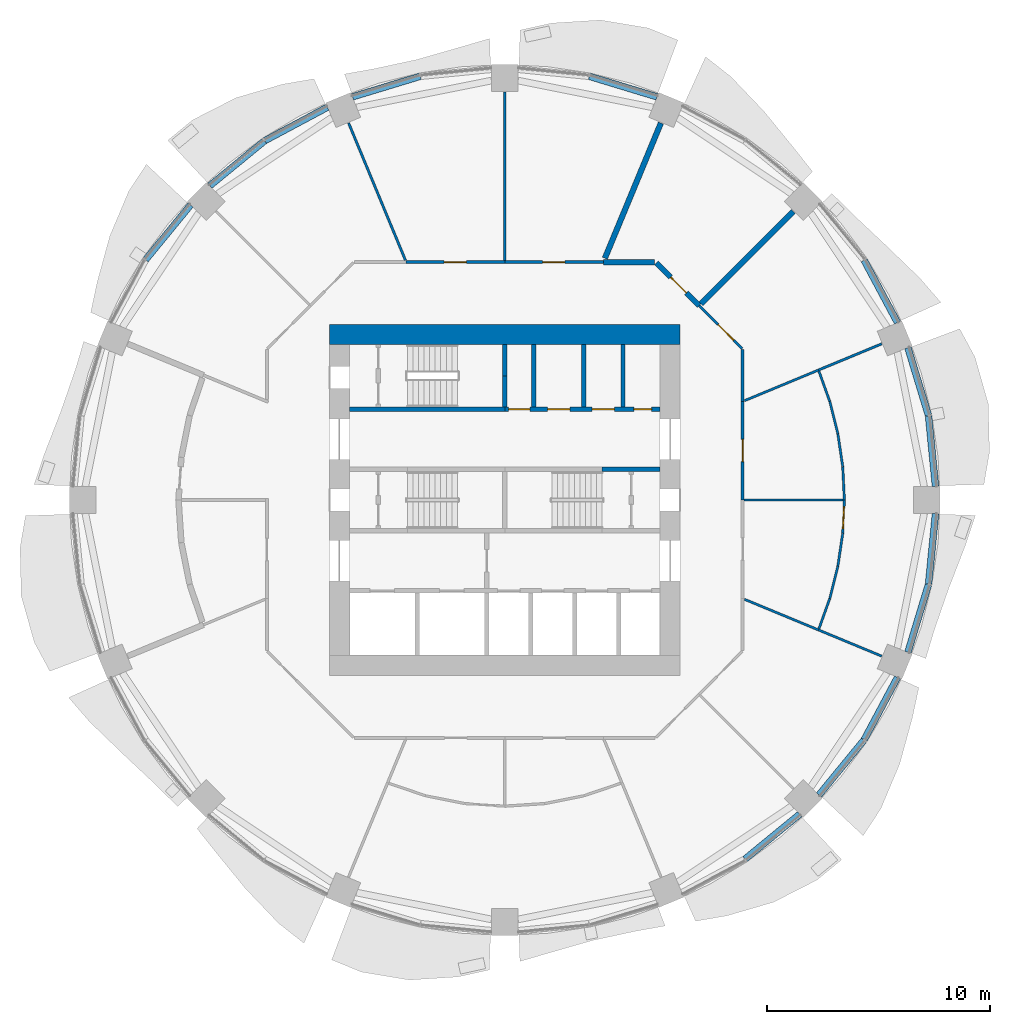
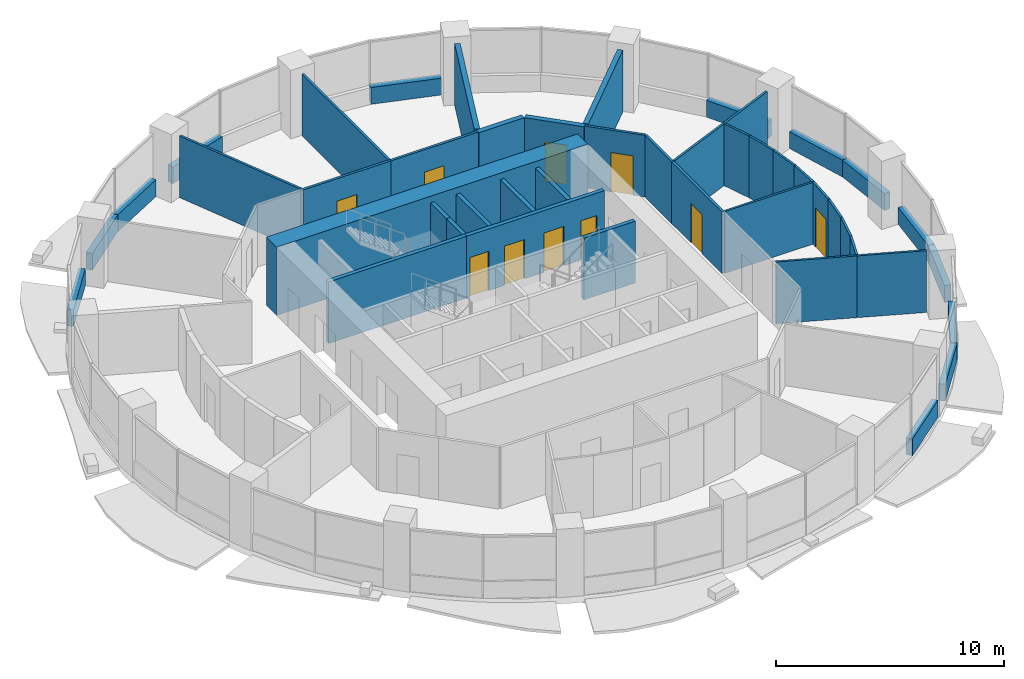
# One storey, part 10 of 15: 46 walls, 10 doors, 10 openings.
"""IFC4 building model written with IfcOpenShell, lengths in metres."""

from ifc_helpers import new_model, si_unit, direction, frame, frame_2d, origin, place, context, subcontext, project, spatial, rectangle, extrude, material, layer, layer_set, type_object, element, fill, save


model = new_model("IFC4")

# Units and contexts
model_context = context("Model", 3, precision=1e-05, world=origin(), true_north=direction((0.0, 1.0)))
body_context = subcontext(model_context, "Body", "Model", "MODEL_VIEW")
ifc_project = project(units=[si_unit("LENGTHUNIT", "METRE"), si_unit("AREAUNIT", "SQUARE_METRE"), si_unit("VOLUMEUNIT", "CUBIC_METRE"), si_unit("PLANEANGLEUNIT", "RADIAN"), si_unit("MASSUNIT", "GRAM", prefix="KILO")], contexts=[model_context])

# Site, building, storey
site_placement = place(None, origin())
site = spatial("IfcSite", under=ifc_project, at=site_placement, CompositionType="ELEMENT")
building_placement = place(site_placement, origin())
building = spatial("IfcBuilding", under=site, at=building_placement, Name="Polderwave Tower", CompositionType="ELEMENT")
storey_placement = place(building_placement, frame((0.0, 0.0, 59.050048828125)))
storey = spatial("IfcBuildingStorey", under=building, at=storey_placement, Name="L15", CompositionType="ELEMENT", Elevation=59.050048828125)

# Walls
ifc_material_1 = material(Name="Concrete C80/95", Category="concrete")
ifc_layer_1 = layer(ifc_material_1, 0.89990234375)
ifc_layer_set_1 = layer_set([ifc_layer_1], Name="CORE WALL 900 C80/95")
wall_type_1 = type_object("IfcWallType", Name="CORE WALL 900 C80/95", PredefinedType="SHEAR", material=ifc_layer_set_1)
wall_1_placement = place(storey_placement, frame((-7.8740234375, 7.424072265625, 0.0), z_axis=(0.0, 0.0, 1.0), x_axis=(1.0, 0.0, 0.0)))
element("IfcWall", 1, at=wall_1_placement, inside=storey, type_object=wall_type_1, Name="ST-CORE-L15-N", PredefinedType="SHEAR", context=body_context, shape_type="SweptSolid", body=[
    extrude(rectangle(XDim=15.748046875, YDim=0.89990234375, at=frame_2d((7.8740234375, 0.0))), origin(), (0.0, 0.0, 1.0), 3.64990234375),
])
ifc_material_2 = material(Name="Concrete C50/60 (board-marked)", Category="concrete")
ifc_layer_2 = layer(ifc_material_2, 0.300048828125)
ifc_layer_set_2 = layer_set([ifc_layer_2], Name="Concrete spandrel upstand C50/60")
wall_type_2 = type_object("IfcWallType", Name="Concrete spandrel upstand C50/60", PredefinedType="SOLIDWALL", material=ifc_layer_set_2)
wall_2_placement = place(storey_placement, frame((19.32958984375, 0.61279296875, 0.0), z_axis=(0.0, 0.0, 1.0), x_axis=(-0.098100807709, 0.995176482603, 0.0)))
element("IfcWall", 2, at=wall_2_placement, inside=storey, type_object=wall_type_2, Name="Spandrel L15 1a", PredefinedType="SOLIDWALL", context=body_context, shape_type="SweptSolid", body=[
    extrude(rectangle(XDim=3.170654296875, YDim=0.300048828125, at=frame_2d((1.58544921875, 0.0))), origin(), (0.0, 0.0, 1.0), 0.89990234375),
])
wall_3_placement = place(storey_placement, frame((19.0126953125, 3.79736328125, 0.0), z_axis=(0.0, 0.0, 1.0), x_axis=(-0.290456409527, 0.956888224489, 0.0)))
element("IfcWall", 3, at=wall_3_placement, inside=storey, type_object=wall_type_2, Name="Spandrel L15 1b", PredefinedType="SOLIDWALL", context=body_context, shape_type="SweptSolid", body=[
    extrude(rectangle(XDim=3.1689453125, YDim=0.300048828125, at=frame_2d((1.58447265625, 0.0))), origin(), (0.0, 0.0, 1.0), 0.89990234375),
])
wall_4_placement = place(storey_placement, frame((17.622802734375, 7.963134765625, 0.0), z_axis=(0.0, 0.0, 1.0), x_axis=(-0.47123575379, 0.882007292685, 0.0)))
element("IfcWall", 4, at=wall_4_placement, inside=storey, type_object=wall_type_2, Name="Spandrel L15 2a", PredefinedType="SOLIDWALL", context=body_context, shape_type="SweptSolid", body=[
    extrude(rectangle(XDim=3.169677734375, YDim=0.300048828125, at=frame_2d((1.5849609375, 0.0))), origin(), (0.0, 0.0, 1.0), 0.89990234375),
])
for number, where, z_axis, x_axis, name in (
    (5, (6.82958984375, 18.09228515625, 0.0), (0.0, 0.0, 1.0), (-0.956888224489, 0.290456409527, 0.0), "Spandrel L15 4a"),
    (6, (-3.79736328125, 19.0126953125, 0.0), (0.0, 0.0, 1.0), (-0.956888224489, -0.290456409527, 0.0), "Spandrel L15 5b"),
):
    element("IfcWall", number, at=place(storey_placement, frame(where, z_axis=z_axis, x_axis=x_axis)), inside=storey, type_object=wall_type_2, Name=name, PredefinedType="SOLIDWALL", context=body_context, shape_type="SweptSolid", body=[
        extrude(rectangle(XDim=3.1689453125, YDim=0.300048828125, at=frame_2d((1.58447265625, 0.0))), origin(), (0.0, 0.0, 1.0), 0.89990234375),
    ])
wall_5_placement = place(storey_placement, frame((-7.963134765625, 17.622802734375, 0.0), z_axis=(0.0, 0.0, 1.0), x_axis=(-0.882007292685, -0.47123575379, 0.0)))
element("IfcWall", 7, at=wall_5_placement, inside=storey, type_object=wall_type_2, Name="Spandrel L15 6a", PredefinedType="SOLIDWALL", context=body_context, shape_type="SweptSolid", body=[
    extrude(rectangle(XDim=3.169677734375, YDim=0.300048828125, at=frame_2d((1.5849609375, 0.0))), origin(), (0.0, 0.0, 1.0), 0.89990234375),
])
for number, where, z_axis, x_axis, name in (
    (8, (-10.78369140625, 16.112548828125, 0.0), (0.0, 0.0, 1.0), (-0.773198293788, -0.634164330819, 0.0), "Spandrel L15 6b"),
    (9, (-14.1025390625, 13.234375, 0.0), (0.0, 0.0, 1.0), (-0.634164330819, -0.773198293788, 0.0), "Spandrel L15 7a"),
    (10, (10.78369140625, -16.112548828125, 0.0), (0.0, 0.0, 1.0), (0.773198293788, 0.634164330819, 0.0), "Spandrel L15 14b"),
    (11, (14.1025390625, -13.234375, 0.0), (0.0, 0.0, 1.0), (0.634164330819, 0.773198293788, 0.0), "Spandrel L15 15a"),
):
    element("IfcWall", number, at=place(storey_placement, frame(where, z_axis=z_axis, x_axis=x_axis)), inside=storey, type_object=wall_type_2, Name=name, PredefinedType="SOLIDWALL", context=body_context, shape_type="SweptSolid", body=[
        extrude(rectangle(XDim=3.16943359375, YDim=0.300048828125, at=frame_2d((1.584716796875, 0.0))), origin(), (0.0, 0.0, 1.0), 0.89990234375),
    ])
wall_6_placement = place(storey_placement, frame((16.129150390625, -10.7587890625, 0.0), z_axis=(0.0, 0.0, 1.0), x_axis=(0.47123575379, 0.882007292685, 0.0)))
element("IfcWall", 12, at=wall_6_placement, inside=storey, type_object=wall_type_2, Name="Spandrel L15 15b", PredefinedType="SOLIDWALL", context=body_context, shape_type="SweptSolid", body=[
    extrude(rectangle(XDim=3.169677734375, YDim=0.300048828125, at=frame_2d((1.5849609375, 0.0))), origin(), (0.0, 0.0, 1.0), 0.89990234375),
])
wall_7_placement = place(storey_placement, frame((18.09228515625, -6.82958984375, 0.0), z_axis=(0.0, 0.0, 1.0), x_axis=(0.290456409527, 0.956888224489, 0.0)))
element("IfcWall", 13, at=wall_7_placement, inside=storey, type_object=wall_type_2, Name="Spandrel L15 16a", PredefinedType="SOLIDWALL", context=body_context, shape_type="SweptSolid", body=[
    extrude(rectangle(XDim=3.1689453125, YDim=0.300048828125, at=frame_2d((1.58447265625, 0.0))), origin(), (0.0, 0.0, 1.0), 0.89990234375),
])
wall_8_placement = place(storey_placement, frame((19.0185546875, -3.76806640625, 0.0), z_axis=(0.0, 0.0, 1.0), x_axis=(0.098100807709, 0.995176482603, 0.0)))
element("IfcWall", 14, at=wall_8_placement, inside=storey, type_object=wall_type_2, Name="Spandrel L15 16b", PredefinedType="SOLIDWALL", context=body_context, shape_type="SweptSolid", body=[
    extrude(rectangle(XDim=3.170654296875, YDim=0.300048828125, at=frame_2d((1.58544921875, 0.0))), origin(), (0.0, 0.0, 1.0), 0.89990234375),
])
ifc_material_3 = material(Name="Gypsum board partition")
ifc_layer_3 = layer(ifc_material_3, 0.199951171875)
ifc_layer_set_3 = layer_set([ifc_layer_3], Name="Core room partition 200")
wall_type_3 = type_object("IfcWallType", Name="Core room partition 200", PredefinedType="PARTITIONING", material=ifc_layer_set_3)
for number, where, z_axis, x_axis, name in (
    (15, (1.30712890625, 4.174072265625, 0.0), (0.0, 0.0, 1.0), (0.0, 1.0, 0.0), "L15 room partition N1"),
    (16, (3.537109375, 4.174072265625, 0.0), (0.0, 0.0, 1.0), (0.0, 1.0, 0.0), "L15 room partition N2"),
):
    element("IfcWall", number, at=place(storey_placement, frame(where, z_axis=z_axis, x_axis=x_axis)), inside=storey, type_object=wall_type_3, Name=name, PredefinedType="PARTITIONING", context=body_context, shape_type="SweptSolid", body=[
        extrude(rectangle(XDim=2.800048828125, YDim=0.199951171875, at=frame_2d((1.39990234375, 0.0))), origin(), (0.0, 0.0, 1.0), 3.300048828125),
    ])
ifc_material_4 = material(Name="Concrete C50/60", Category="concrete")
ifc_layer_4 = layer(ifc_material_4, 0.199951171875)
ifc_layer_set_4 = layer_set([ifc_layer_4], Name="Core web wall 200")
wall_type_4 = type_object("IfcWallType", Name="Core web wall 200", PredefinedType="SHEAR", material=ifc_layer_set_4)
wall_9_placement = place(storey_placement, frame((-6.97412109375, 4.073974609375, 0.0), z_axis=(0.0, 0.0, 1.0), x_axis=(1.0, 0.0, 0.0)))
element("IfcWall", 17, at=wall_9_placement, inside=storey, type_object=wall_type_4, Name="L15 north front wall 1", PredefinedType="SHEAR", context=body_context, shape_type="SweptSolid", body=[
    extrude(rectangle(XDim=6.97412109375, YDim=0.199951171875, at=frame_2d((3.487060546875, 0.0))), origin(), (0.0, 0.0, 1.0), 3.300048828125),
])

# Wall, openings, doors
wall_10_placement = place(storey_placement, frame((0.0, 4.073974609375, 0.0), z_axis=(0.0, 0.0, 1.0), x_axis=(1.0, 0.0, 0.0)))
wall_10 = element("IfcWall", 18, at=wall_10_placement, inside=storey, type_object=wall_type_4, Name="L15 north front wall 2", PredefinedType="SHEAR", context=body_context, shape_type="SweptSolid", body=[
    extrude(rectangle(XDim=6.97412109375, YDim=0.199951171875, at=frame_2d((3.487060546875, 0.0))), origin(), (0.0, 0.0, 1.0), 3.300048828125),
])
opening_1_placement = place(wall_10_placement, frame((0.1787109375, 0.0, 0.0)))
opening_1 = element("IfcOpeningElement", 19, at=opening_1_placement, cuts=wall_10, Name="Opening L15-D14", PredefinedType="OPENING", context=body_context, shape_type="SweptSolid", body=[
    extrude(rectangle(XDim=0.949951171875, YDim=2.10009765625, at=frame_2d((0.47509765625, 1.050048828125))), frame((0.0, 0.10986328125, 0.0), z_axis=(0.0, -1.0, 0.0), x_axis=(1.0, 0.0, 0.0)), (0.0, 0.0, 1.0), 0.219970703125),
])
opening_2_placement = place(wall_10_placement, frame((1.922119140625, 0.0, 0.0)))
opening_2 = element("IfcOpeningElement", 20, at=opening_2_placement, cuts=wall_10, Name="Opening L15-D15", PredefinedType="OPENING", context=body_context, shape_type="SweptSolid", body=[
    extrude(rectangle(XDim=1.0, YDim=2.10009765625, at=frame_2d((0.5, 1.050048828125))), frame((0.0, 0.10986328125, 0.0), z_axis=(0.0, -1.0, 0.0), x_axis=(1.0, 0.0, 0.0)), (0.0, 0.0, 1.0), 0.219970703125),
])
opening_3_placement = place(wall_10_placement, frame((3.921142578125, 0.0, 0.0)))
opening_3 = element("IfcOpeningElement", 21, at=opening_3_placement, cuts=wall_10, Name="Opening L15-D16", PredefinedType="OPENING", context=body_context, shape_type="SweptSolid", body=[
    extrude(rectangle(XDim=1.0, YDim=2.10009765625, at=frame_2d((0.5, 1.050048828125))), frame((0.0, 0.10986328125, 0.0), z_axis=(0.0, -1.0, 0.0), x_axis=(1.0, 0.0, 0.0)), (0.0, 0.0, 1.0), 0.219970703125),
])
opening_4_placement = place(wall_10_placement, frame((5.789794921875, 0.0, 0.0)))
opening_4 = element("IfcOpeningElement", 22, at=opening_4_placement, cuts=wall_10, Name="Opening L15-D17", PredefinedType="OPENING", context=body_context, shape_type="SweptSolid", body=[
    extrude(rectangle(XDim=0.800048828125, YDim=2.10009765625, at=frame_2d((0.39990234375, 1.050048828125))), frame((0.0, 0.10986328125, 0.0), z_axis=(0.0, -1.0, 0.0), x_axis=(1.0, 0.0, 0.0)), (0.0, 0.0, 1.0), 0.219970703125),
])
ifc_material_5 = material(Name="Steel fire door", Category="steel")
door_type_1 = type_object("IfcDoorType", Name="Riser door 800", OperationType="NOTDEFINED", PredefinedType="DOOR", material=ifc_material_5)
door_1_placement = place(opening_4_placement, frame((0.800048828125, 0.0, 0.0), z_axis=(0.0, 0.0, 1.0), x_axis=(-1.0, 0.0, 0.0)))
door_1 = element("IfcDoor", 23, at=door_1_placement, inside=storey, type_object=door_type_1, Name="Riser door", OperationType="SINGLE_SWING_LEFT", OverallHeight=2.10009765625, OverallWidth=0.800048828125, PredefinedType="DOOR", context=body_context, shape_type="SweptSolid", body=[
    extrude(rectangle(XDim=0.800048828125, YDim=2.10009765625, at=frame_2d((0.39990234375, 1.050048828125))), frame((0.0, 0.02490234375, 0.0), z_axis=(0.0, -1.0, 0.0), x_axis=(1.0, 0.0, 0.0)), (0.0, 0.0, 1.0), 0.050048828125),
])
fill(opening_4, door_1)
ifc_material_6 = material(Name="Timber door leaf", Category="wood")
door_type_2 = type_object("IfcDoorType", Name="Room door 1000", OperationType="NOTDEFINED", PredefinedType="DOOR", material=ifc_material_6)
door_2_placement = place(opening_2_placement, origin())
door_2 = element("IfcDoor", 24, at=door_2_placement, inside=storey, type_object=door_type_2, Name="Refuse store door", OperationType="SINGLE_SWING_LEFT", OverallHeight=2.10009765625, OverallWidth=1.0, PredefinedType="DOOR", context=body_context, shape_type="SweptSolid", body=[
    extrude(rectangle(XDim=1.0, YDim=2.10009765625, at=frame_2d((0.5, 1.050048828125))), frame((0.0, 0.02490234375, 0.0), z_axis=(0.0, -1.0, 0.0), x_axis=(1.0, 0.0, 0.0)), (0.0, 0.0, 1.0), 0.050048828125),
])
fill(opening_2, door_2)
door_3_placement = place(opening_3_placement, origin())
door_3 = element("IfcDoor", 25, at=door_3_placement, inside=storey, type_object=door_type_2, Name="Staff WC door", OperationType="SINGLE_SWING_RIGHT", OverallHeight=2.10009765625, OverallWidth=1.0, PredefinedType="DOOR", context=body_context, shape_type="SweptSolid", body=[
    extrude(rectangle(XDim=1.0, YDim=2.10009765625, at=frame_2d((0.5, 1.050048828125))), frame((0.0, 0.02490234375, 0.0), z_axis=(0.0, -1.0, 0.0), x_axis=(1.0, 0.0, 0.0)), (0.0, 0.0, 1.0), 0.050048828125),
])
fill(opening_3, door_3)
door_type_3 = type_object("IfcDoorType", Name="Room door 950", OperationType="NOTDEFINED", PredefinedType="DOOR", material=ifc_material_6)
door_4_placement = place(opening_1_placement, origin())
door_4 = element("IfcDoor", 26, at=door_4_placement, inside=storey, type_object=door_type_3, Name="Seedling preparation room door", OperationType="SINGLE_SWING_LEFT", OverallHeight=2.10009765625, OverallWidth=0.949951171875, PredefinedType="DOOR", context=body_context, shape_type="SweptSolid", body=[
    extrude(rectangle(XDim=0.949951171875, YDim=2.10009765625, at=frame_2d((0.47509765625, 1.050048828125))), frame((0.0, 0.02490234375, 0.0), z_axis=(0.0, -1.0, 0.0), x_axis=(1.0, 0.0, 0.0)), (0.0, 0.0, 1.0), 0.050048828125),
])
fill(opening_1, door_4)

# Walls
wall_11_placement = place(storey_placement, frame((4.3740234375, 1.375, 0.0), z_axis=(0.0, 0.0, 1.0), x_axis=(1.0, 0.0, 0.0)))
element("IfcWall", 27, at=wall_11_placement, inside=storey, type_object=wall_type_4, Name="L15 north stair wall 4", PredefinedType="SHEAR", context=body_context, shape_type="SweptSolid", body=[
    extrude(rectangle(XDim=2.60009765625, YDim=0.199951171875, at=frame_2d((1.300048828125, 0.0))), origin(), (0.0, 0.0, 1.0), 3.300048828125),
])
wall_12_placement = place(storey_placement, frame((0.0, 4.174072265625, 0.0), z_axis=(0.0, 0.0, 1.0), x_axis=(0.0, 1.0, 0.0)))
element("IfcWall", 28, at=wall_12_placement, inside=storey, type_object=wall_type_4, Name="L15 stair C wall south", PredefinedType="SHEAR", context=body_context, shape_type="SweptSolid", body=[
    extrude(rectangle(XDim=1.39990234375, YDim=0.199951171875, at=frame_2d((0.699951171875, 0.0))), origin(), (0.0, 0.0, 1.0), 3.300048828125),
])
wall_13_placement = place(storey_placement, frame((0.0, 5.573974609375, 0.0), z_axis=(0.0, 0.0, 1.0), x_axis=(0.0, 1.0, 0.0)))
element("IfcWall", 29, at=wall_13_placement, inside=storey, type_object=wall_type_4, Name="L15 stair C wall north", PredefinedType="SHEAR", context=body_context, shape_type="SweptSolid", body=[
    extrude(rectangle(XDim=1.400146484375, YDim=0.199951171875, at=frame_2d((0.7001953125, 0.0))), origin(), (0.0, 0.0, 1.0), 3.300048828125),
])

# Wall, opening, door
ifc_material_7 = material(Name="Fire-resisting board on steel studs", Category="steel")
ifc_layer_5 = layer(ifc_material_7, 0.125)
ifc_layer_set_5 = layer_set([ifc_layer_5], Name="Corridor wall 125 mm EI 60")
wall_type_5 = type_object("IfcWallType", Name="Corridor wall 125 mm EI 60", PredefinedType="PARTITIONING", material=ifc_layer_set_5)
wall_14_placement = place(storey_placement, frame((10.674072265625, 4.42138671875, 0.0), z_axis=(0.0, 0.0, 1.0), x_axis=(0.0, -1.0, 0.0)))
wall_14 = element("IfcWall", 30, at=wall_14_placement, inside=storey, type_object=wall_type_5, Name="IN-L15-W001", PredefinedType="PARTITIONING", context=body_context, shape_type="SweptSolid", body=[
    extrude(rectangle(XDim=4.42138671875, YDim=0.125, at=frame_2d((2.210693359375, 0.0))), origin(), (0.0, 0.0, 1.0), 3.300048828125),
])
opening_5_placement = place(wall_14_placement, frame((1.699951171875, 0.0, 0.0)))
opening_5 = element("IfcOpeningElement", 31, at=opening_5_placement, cuts=wall_14, Name="Opening L15-D50", PredefinedType="OPENING", context=body_context, shape_type="SweptSolid", body=[
    extrude(rectangle(XDim=1.0, YDim=2.10009765625, at=frame_2d((0.5, 1.050048828125))), frame((0.0, 0.072509765625, 0.0), z_axis=(0.0, -1.0, 0.0), x_axis=(1.0, 0.0, 0.0)), (0.0, 0.0, 1.0), 0.14501953125),
])
ifc_material_8 = material(Name="Timber fire door leaf", Category="wood")
door_type_4 = type_object("IfcDoorType", Name="Fire door FD30S 1000 x 2100", OperationType="NOTDEFINED", PredefinedType="DOOR", material=ifc_material_8)
door_5_placement = place(opening_5_placement, origin())
door_5 = element("IfcDoor", 32, at=door_5_placement, inside=storey, type_object=door_type_4, Name="Door L15-D50", OperationType="SINGLE_SWING_LEFT", OverallHeight=2.10009765625, OverallWidth=1.0, PredefinedType="DOOR", context=body_context, shape_type="SweptSolid", body=[
    extrude(rectangle(XDim=1.0, YDim=2.10009765625, at=frame_2d((0.5, 1.050048828125))), frame((0.0, 0.02490234375, 0.0), z_axis=(0.0, -1.0, 0.0), x_axis=(1.0, 0.0, 0.0)), (0.0, 0.0, 1.0), 0.050048828125),
])
fill(opening_5, door_5)

wall_15_placement = place(storey_placement, frame((8.722412109375, 8.722412109375, 0.0), z_axis=(0.0, 0.0, 1.0), x_axis=(0.707151428813, -0.707062130741, 0.0)))
wall_15 = element("IfcWall", 33, at=wall_15_placement, inside=storey, type_object=wall_type_5, Name="IN-L15-W002", PredefinedType="PARTITIONING", context=body_context, shape_type="SweptSolid", body=[
    extrude(rectangle(XDim=2.73388671875, YDim=0.125, at=frame_2d((1.366943359375, 0.0))), origin(), (0.0, 0.0, 1.0), 3.300048828125),
])
opening_6_placement = place(wall_15_placement, frame((1.199951171875, 0.0, 0.0)))
opening_6 = element("IfcOpeningElement", 34, at=opening_6_placement, cuts=wall_15, Name="Opening L15-D51", PredefinedType="OPENING", context=body_context, shape_type="SweptSolid", body=[
    extrude(rectangle(XDim=1.0, YDim=2.10009765625, at=frame_2d((0.5, 1.050048828125))), frame((0.0, 0.072509765625, 0.0), z_axis=(0.0, -1.0, 0.0), x_axis=(1.0, 0.0, 0.0)), (0.0, 0.0, 1.0), 0.14501953125),
])
door_6_placement = place(opening_6_placement, origin())
door_6 = element("IfcDoor", 35, at=door_6_placement, inside=storey, type_object=door_type_4, Name="Door L15-D51", OperationType="SINGLE_SWING_RIGHT", OverallHeight=2.10009765625, OverallWidth=1.0, PredefinedType="DOOR", context=body_context, shape_type="SweptSolid", body=[
    extrude(rectangle(XDim=1.0, YDim=2.10009765625, at=frame_2d((0.5, 1.050048828125))), frame((0.0, 0.02490234375, 0.0), z_axis=(0.0, -1.0, 0.0), x_axis=(1.0, 0.0, 0.0)), (0.0, 0.0, 1.0), 0.050048828125),
])
fill(opening_6, door_6)

# Wall
wall_16_placement = place(storey_placement, frame((10.674072265625, 6.7451171875, 0.0), z_axis=(0.0, 0.0, 1.0), x_axis=(0.0, -1.0, 0.0)))
element("IfcWall", 36, at=wall_16_placement, inside=storey, type_object=wall_type_5, Name="IN-L15-W003", PredefinedType="PARTITIONING", context=body_context, shape_type="SweptSolid", body=[
    extrude(rectangle(XDim=2.32373046875, YDim=0.125, at=frame_2d((1.161865234375, 0.0))), origin(), (0.0, 0.0, 1.0), 3.300048828125),
])

# Wall, opening, door
wall_17_placement = place(storey_placement, frame((0.0, 10.674072265625, 0.0), z_axis=(0.0, 0.0, 1.0), x_axis=(1.0, 0.0, 0.0)))
wall_17 = element("IfcWall", 37, at=wall_17_placement, inside=storey, type_object=wall_type_5, Name="IN-L15-W009", PredefinedType="PARTITIONING", context=body_context, shape_type="SweptSolid", body=[
    extrude(rectangle(XDim=4.42138671875, YDim=0.125, at=frame_2d((2.210693359375, 0.0))), origin(), (0.0, 0.0, 1.0), 3.300048828125),
])
opening_7_placement = place(wall_17_placement, frame((1.699951171875, 0.0, 0.0)))
opening_7 = element("IfcOpeningElement", 38, at=opening_7_placement, cuts=wall_17, Name="Opening L15-D55", PredefinedType="OPENING", context=body_context, shape_type="SweptSolid", body=[
    extrude(rectangle(XDim=1.0, YDim=2.10009765625, at=frame_2d((0.5, 1.050048828125))), frame((0.0, 0.072509765625, 0.0), z_axis=(0.0, -1.0, 0.0), x_axis=(1.0, 0.0, 0.0)), (0.0, 0.0, 1.0), 0.14501953125),
])
door_7_placement = place(opening_7_placement, origin())
door_7 = element("IfcDoor", 39, at=door_7_placement, inside=storey, type_object=door_type_4, Name="Door L15-D55", OperationType="SINGLE_SWING_LEFT", OverallHeight=2.10009765625, OverallWidth=1.0, PredefinedType="DOOR", context=body_context, shape_type="SweptSolid", body=[
    extrude(rectangle(XDim=1.0, YDim=2.10009765625, at=frame_2d((0.5, 1.050048828125))), frame((0.0, 0.02490234375, 0.0), z_axis=(0.0, -1.0, 0.0), x_axis=(1.0, 0.0, 0.0)), (0.0, 0.0, 1.0), 0.050048828125),
])
fill(opening_7, door_7)

wall_18_placement = place(storey_placement, frame((-4.42138671875, 10.674072265625, 0.0), z_axis=(0.0, 0.0, 1.0), x_axis=(1.0, 0.0, 0.0)))
wall_18 = element("IfcWall", 40, at=wall_18_placement, inside=storey, type_object=wall_type_5, Name="IN-L15-W010", PredefinedType="PARTITIONING", context=body_context, shape_type="SweptSolid", body=[
    extrude(rectangle(XDim=4.42138671875, YDim=0.125, at=frame_2d((2.210693359375, 0.0))), origin(), (0.0, 0.0, 1.0), 3.300048828125),
])
opening_8_placement = place(wall_18_placement, frame((1.699951171875, 0.0, 0.0)))
opening_8 = element("IfcOpeningElement", 41, at=opening_8_placement, cuts=wall_18, Name="Opening L15-D56", PredefinedType="OPENING", context=body_context, shape_type="SweptSolid", body=[
    extrude(rectangle(XDim=1.0, YDim=2.10009765625, at=frame_2d((0.5, 1.050048828125))), frame((0.0, 0.072509765625, 0.0), z_axis=(0.0, -1.0, 0.0), x_axis=(1.0, 0.0, 0.0)), (0.0, 0.0, 1.0), 0.14501953125),
])
door_8_placement = place(opening_8_placement, origin())
door_8 = element("IfcDoor", 42, at=door_8_placement, inside=storey, type_object=door_type_4, Name="Door L15-D56", OperationType="SINGLE_SWING_LEFT", OverallHeight=2.10009765625, OverallWidth=1.0, PredefinedType="DOOR", context=body_context, shape_type="SweptSolid", body=[
    extrude(rectangle(XDim=1.0, YDim=2.10009765625, at=frame_2d((0.5, 1.050048828125))), frame((0.0, 0.02490234375, 0.0), z_axis=(0.0, -1.0, 0.0), x_axis=(1.0, 0.0, 0.0)), (0.0, 0.0, 1.0), 0.050048828125),
])
fill(opening_8, door_8)

# Walls
ifc_material_9 = material(Name="Moisture-resistant board on steel studs, tiled", Category="steel")
ifc_layer_6 = layer(ifc_material_9, 0.10498046875)
ifc_layer_set_6 = layer_set([ifc_layer_6], Name="Partition 105 mm wet room board and tile")
wall_type_6 = type_object("IfcWallType", Name="Partition 105 mm wet room board and tile", PredefinedType="PARTITIONING", material=ifc_layer_set_6)
wall_19_placement = place(storey_placement, frame((14.099365234375, 5.77783203125, 0.0), z_axis=(0.0, 0.0, 1.0), x_axis=(0.336918127064, -0.941533948222, 0.0)))
element("IfcWall", 43, at=wall_19_placement, inside=storey, type_object=wall_type_6, Name="IN-L15-W024", PredefinedType="PARTITIONING", context=body_context, shape_type="SweptSolid", body=[
    extrude(rectangle(XDim=1.435546875, YDim=0.10498046875, at=frame_2d((0.7177734375, 0.0))), origin(), (0.0, 0.0, 1.0), 3.300048828125),
])
for number, where, z_axis, x_axis, name in (
    (44, (14.58447265625, 4.42138671875, 0.0), (0.0, 0.0, 1.0), (0.242921026588, -0.970046068412, 0.0), "IN-L15-W025"),
    (45, (14.947509765625, 2.970703125, 0.0), (0.0, 0.0, 1.0), (0.146762363652, -0.989171779124, 0.0), "IN-L15-W026"),
):
    element("IfcWall", number, at=place(storey_placement, frame(where, z_axis=z_axis, x_axis=x_axis)), inside=storey, type_object=wall_type_6, Name=name, PredefinedType="PARTITIONING", context=body_context, shape_type="SweptSolid", body=[
        extrude(rectangle(XDim=1.490478515625, YDim=0.10498046875, at=frame_2d((0.7451171875, 0.0))), origin(), (0.0, 0.0, 1.0), 3.300048828125),
    ])
wall_20_placement = place(storey_placement, frame((15.166748046875, 1.4912109375, 0.0), z_axis=(0.0, 0.0, 1.0), x_axis=(0.049056777577, -0.998795991469, 0.0)))
element("IfcWall", 46, at=wall_20_placement, inside=storey, type_object=wall_type_6, Name="IN-L15-W027", PredefinedType="PARTITIONING", context=body_context, shape_type="SweptSolid", body=[
    extrude(rectangle(XDim=1.492919921875, YDim=0.10498046875, at=frame_2d((0.74658203125, 0.0))), origin(), (0.0, 0.0, 1.0), 3.300048828125),
])
wall_21_placement = place(storey_placement, frame((10.756591796875, 4.45556640625, 0.0), z_axis=(0.0, 0.0, 1.0), x_axis=(0.923886131731, 0.382667500051, 0.0)))
element("IfcWall", 47, at=wall_21_placement, inside=storey, type_object=wall_type_6, Name="IN-L15-W028", PredefinedType="PARTITIONING", context=body_context, shape_type="SweptSolid", body=[
    extrude(rectangle(XDim=3.596923828125, YDim=0.10498046875, at=frame_2d((1.79833984375, 0.0))), origin(), (0.0, 0.0, 1.0), 3.300048828125),
])
wall_22_placement = place(storey_placement, frame((15.184814453125, 0.0, 0.0), z_axis=(0.0, 0.0, 1.0), x_axis=(-1.0, 0.0, 0.0)))
element("IfcWall", 48, at=wall_22_placement, inside=storey, type_object=wall_type_6, Name="IN-L15-W029", PredefinedType="PARTITIONING", context=body_context, shape_type="SweptSolid", body=[
    extrude(rectangle(XDim=4.4482421875, YDim=0.10498046875, at=frame_2d((2.22412109375, 0.0))), origin(), (0.0, 0.0, 1.0), 3.300048828125),
])
wall_23_placement = place(storey_placement, frame((16.916259765625, -7.007080078125, 0.0), z_axis=(0.0, 0.0, 1.0), x_axis=(-0.923860783753, 0.382728692736, 0.0)))
element("IfcWall", 49, at=wall_23_placement, inside=storey, type_object=wall_type_6, Name="IN-L15-W031", PredefinedType="PARTITIONING", context=body_context, shape_type="SweptSolid", body=[
    extrude(rectangle(XDim=3.070068359375, YDim=0.10498046875, at=frame_2d((1.53515625, 0.0))), origin(), (0.0, 0.0, 1.0), 3.300048828125),
])
wall_24_placement = place(storey_placement, frame((14.098388671875, -5.7802734375, 0.0), z_axis=(0.0, 0.0, 1.0), x_axis=(0.336981574949, 0.941511241646, 0.0)))
element("IfcWall", 50, at=wall_24_placement, inside=storey, type_object=wall_type_6, Name="IN-L15-W032", PredefinedType="PARTITIONING", context=body_context, shape_type="SweptSolid", body=[
    extrude(rectangle(XDim=1.438232421875, YDim=0.10498046875, at=frame_2d((0.71923828125, 0.0))), origin(), (0.0, 0.0, 1.0), 3.300048828125),
])
for number, where, z_axis, x_axis, name in (
    (51, (14.58447265625, -4.42138671875, 0.0), (0.0, 0.0, 1.0), (0.242921026588, 0.970046068412, 0.0), "IN-L15-W033"),
    (52, (14.947509765625, -2.970703125, 0.0), (0.0, 0.0, 1.0), (0.146762363652, 0.989171779124, 0.0), "IN-L15-W034"),
):
    element("IfcWall", number, at=place(storey_placement, frame(where, z_axis=z_axis, x_axis=x_axis)), inside=storey, type_object=wall_type_6, Name=name, PredefinedType="PARTITIONING", context=body_context, shape_type="SweptSolid", body=[
        extrude(rectangle(XDim=1.490478515625, YDim=0.10498046875, at=frame_2d((0.7451171875, 0.0))), origin(), (0.0, 0.0, 1.0), 3.300048828125),
    ])

# Wall, opening, door
wall_25_placement = place(storey_placement, frame((15.239990234375, 0.0, 0.0), z_axis=(0.0, 0.0, 1.0), x_axis=(-0.049056777577, -0.998795991469, 0.0)))
wall_25 = element("IfcWall", 53, at=wall_25_placement, inside=storey, type_object=wall_type_6, Name="IN-L15-W035", PredefinedType="PARTITIONING", context=body_context, shape_type="SweptSolid", body=[
    extrude(rectangle(XDim=1.492919921875, YDim=0.10498046875, at=frame_2d((0.74658203125, 0.0))), origin(), (0.0, 0.0, 1.0), 3.300048828125),
])
opening_9_placement = place(wall_25_placement, frame((0.300048828125, 0.0, 0.0)))
opening_9 = element("IfcOpeningElement", 54, at=opening_9_placement, cuts=wall_25, Name="Opening L15-D64", PredefinedType="OPENING", context=body_context, shape_type="SweptSolid", body=[
    extrude(rectangle(XDim=1.0, YDim=2.10009765625, at=frame_2d((0.5, 1.050048828125))), frame((0.0, 0.0625, 0.0), z_axis=(0.0, -1.0, 0.0), x_axis=(1.0, 0.0, 0.0)), (0.0, 0.0, 1.0), 0.125),
])
ifc_material_10 = material(Name="Timber veneer door leaf", Category="wood")
door_type_5 = type_object("IfcDoorType", Name="Single door 1000 x 2100", OperationType="NOTDEFINED", PredefinedType="DOOR", material=ifc_material_10)
door_9_placement = place(opening_9_placement, origin())
door_9 = element("IfcDoor", 55, at=door_9_placement, inside=storey, type_object=door_type_5, Name="Door L15-D64", OperationType="SINGLE_SWING_RIGHT", OverallHeight=2.10009765625, OverallWidth=1.0, PredefinedType="DOOR", context=body_context, shape_type="SweptSolid", body=[
    extrude(rectangle(XDim=1.0, YDim=2.10009765625, at=frame_2d((0.5, 1.050048828125))), frame((0.0, 0.02490234375, 0.0), z_axis=(0.0, -1.0, 0.0), x_axis=(1.0, 0.0, 0.0)), (0.0, 0.0, 1.0), 0.050048828125),
])
fill(opening_9, door_9)

# Walls
wall_26_placement = place(storey_placement, frame((10.756591796875, -4.45556640625, 0.0), z_axis=(0.0, 0.0, 1.0), x_axis=(0.923886131731, -0.382667500051, 0.0)))
element("IfcWall", 56, at=wall_26_placement, inside=storey, type_object=wall_type_6, Name="IN-L15-W064", PredefinedType="PARTITIONING", context=body_context, shape_type="SweptSolid", body=[
    extrude(rectangle(XDim=3.596923828125, YDim=0.10498046875, at=frame_2d((1.79833984375, 0.0))), origin(), (0.0, 0.0, 1.0), 3.300048828125),
])
ifc_material_11 = material(Name="Acoustic double plasterboard on steel studs", Category="steel")
ifc_layer_7 = layer(ifc_material_11, 0.110107421875)
ifc_layer_set_7 = layer_set([ifc_layer_7], Name="Partition 110 mm acoustic double board")
wall_type_7 = type_object("IfcWallType", Name="Partition 110 mm acoustic double board", PredefinedType="PARTITIONING", material=ifc_layer_set_7)
wall_27_placement = place(storey_placement, frame((14.079833984375, 5.83203125, 0.0), z_axis=(0.0, 0.0, 1.0), x_axis=(0.923860783753, 0.382728692736, 0.0)))
element("IfcWall", 57, at=wall_27_placement, inside=storey, type_object=wall_type_7, Name="IN-L15-W030", PredefinedType="PARTITIONING", context=body_context, shape_type="SweptSolid", body=[
    extrude(rectangle(XDim=3.070068359375, YDim=0.110107421875, at=frame_2d((1.53515625, 0.0))), origin(), (0.0, 0.0, 1.0), 3.300048828125),
])
wall_28_placement = place(storey_placement, frame((0.0, 10.736572265625, 0.0), z_axis=(0.0, 0.0, 1.0), x_axis=(0.0, 1.0, 0.0)))
element("IfcWall", 58, at=wall_28_placement, inside=storey, type_object=wall_type_7, Name="IN-L15-W038", PredefinedType="PARTITIONING", context=body_context, shape_type="SweptSolid", body=[
    extrude(rectangle(XDim=7.573486328125, YDim=0.110107421875, at=frame_2d((3.78662109375, 0.0))), origin(), (0.0, 0.0, 1.0), 3.300048828125),
])
wall_29_placement = place(storey_placement, frame((-4.455810546875, 10.757568359375, 0.0), z_axis=(0.0, 0.0, 1.0), x_axis=(-0.382716213896, 0.923865953275, 0.0)))
element("IfcWall", 59, at=wall_29_placement, inside=storey, type_object=wall_type_7, Name="IN-L15-W039", PredefinedType="PARTITIONING", context=body_context, shape_type="SweptSolid", body=[
    extrude(rectangle(XDim=6.666259765625, YDim=0.110107421875, at=frame_2d((3.3330078125, 0.0))), origin(), (0.0, 0.0, 1.0), 3.300048828125),
])
ifc_material_12 = material(Name="Fire-resisting board on steel studs, mineral wool", Category="steel")
ifc_layer_8 = layer(ifc_material_12, 0.25)
ifc_layer_set_8 = layer_set([ifc_layer_8], Name="Plant room wall 250 mm EI 120")
wall_type_8 = type_object("IfcWallType", Name="Plant room wall 250 mm EI 120", PredefinedType="PARTITIONING", material=ifc_layer_set_8)
wall_30_placement = place(storey_placement, frame((4.42138671875, 10.674072265625, 0.0), z_axis=(0.0, 0.0, 1.0), x_axis=(1.0, 0.0, 0.0)))
element("IfcWall", 60, at=wall_30_placement, inside=storey, type_object=wall_type_8, Name="IN-L15-W007", PredefinedType="PARTITIONING", context=body_context, shape_type="SweptSolid", body=[
    extrude(rectangle(XDim=2.2978515625, YDim=0.25, at=frame_2d((1.14892578125, 0.0))), origin(), (0.0, 0.0, 1.0), 3.300048828125),
])

# Wall, opening, door
wall_31_placement = place(storey_placement, frame((6.8076171875, 10.637451171875, 0.0), z_axis=(0.0, 0.0, 1.0), x_axis=(0.707061703777, -0.707151855722, 0.0)))
wall_31 = element("IfcWall", 61, at=wall_31_placement, inside=storey, type_object=wall_type_8, Name="IN-L15-W008", PredefinedType="PARTITIONING", context=body_context, shape_type="SweptSolid", body=[
    extrude(rectangle(XDim=2.7080078125, YDim=0.25, at=frame_2d((1.35400390625, 0.0))), origin(), (0.0, 0.0, 1.0), 3.300048828125),
])
opening_10_placement = place(wall_31_placement, frame((0.89990234375, 0.0, 0.0)))
opening_10 = element("IfcOpeningElement", 62, at=opening_10_placement, cuts=wall_31, Name="Opening L15-D54", PredefinedType="OPENING", context=body_context, shape_type="SweptSolid", body=[
    extrude(rectangle(XDim=1.0, YDim=2.10009765625, at=frame_2d((0.5, 1.050048828125))), frame((0.0, 0.135009765625, 0.0), z_axis=(0.0, -1.0, 0.0), x_axis=(1.0, 0.0, 0.0)), (0.0, 0.0, 1.0), 0.27001953125),
])
ifc_material_13 = material(Name="Steel plant door leaf", Category="steel")
door_type_6 = type_object("IfcDoorType", Name="Plant door FD60 1000 x 2100 steel", OperationType="NOTDEFINED", PredefinedType="DOOR", material=ifc_material_13)
door_10_placement = place(opening_10_placement, origin())
door_10 = element("IfcDoor", 63, at=door_10_placement, inside=storey, type_object=door_type_6, Name="Door L15-D54", OperationType="SINGLE_SWING_RIGHT", OverallHeight=2.10009765625, OverallWidth=1.0, PredefinedType="DOOR", context=body_context, shape_type="SweptSolid", body=[
    extrude(rectangle(XDim=1.0, YDim=2.10009765625, at=frame_2d((0.5, 1.050048828125))), frame((0.0, 0.02490234375, 0.0), z_axis=(0.0, -1.0, 0.0), x_axis=(1.0, 0.0, 0.0)), (0.0, 0.0, 1.0), 0.050048828125),
])
fill(opening_10, door_10)

# Walls
wall_32_placement = place(storey_placement, frame((12.947021484375, 12.947021484375, 0.0), z_axis=(0.0, 0.0, 1.0), x_axis=(-0.707106781187, -0.707106781187, 0.0)))
element("IfcWall", 64, at=wall_32_placement, inside=storey, type_object=wall_type_8, Name="IN-L15-W036", PredefinedType="PARTITIONING", context=body_context, shape_type="SweptSolid", body=[
    extrude(rectangle(XDim=5.849609375, YDim=0.25, at=frame_2d((2.9248046875, 0.0))), origin(), (0.0, 0.0, 1.0), 3.300048828125),
])
wall_33_placement = place(storey_placement, frame((4.492919921875, 10.8466796875, 0.0), z_axis=(0.0, 0.0, 1.0), x_axis=(0.382690938, 0.92387642354, 0.0)))
element("IfcWall", 65, at=wall_33_placement, inside=storey, type_object=wall_type_8, Name="IN-L15-W037", PredefinedType="PARTITIONING", context=body_context, shape_type="SweptSolid", body=[
    extrude(rectangle(XDim=6.569580078125, YDim=0.25, at=frame_2d((3.28466796875, 0.0))), origin(), (0.0, 0.0, 1.0), 3.300048828125),
])
ifc_material_14 = material(Name="Gypsum shaft wall system")
ifc_layer_9 = layer(ifc_material_14, 0.199951171875)
ifc_layer_set_9 = layer_set([ifc_layer_9], Name="Shaft wall 200")
wall_type_9 = type_object("IfcWallType", Name="Shaft wall 200", PredefinedType="PARTITIONING", material=ifc_layer_set_9)
wall_34_placement = place(storey_placement, frame((5.305419921875, 4.174072265625, 0.0), z_axis=(0.0, 0.0, 1.0), x_axis=(0.0, 1.0, 0.0)))
element("IfcWall", 66, at=wall_34_placement, inside=storey, type_object=wall_type_9, Name="L15 riser wall", PredefinedType="PARTITIONING", context=body_context, shape_type="SweptSolid", body=[
    extrude(rectangle(XDim=2.800048828125, YDim=0.199951171875, at=frame_2d((1.39990234375, 0.0))), origin(), (0.0, 0.0, 1.0), 3.300048828125),
])

save(model, "model.ifc")
